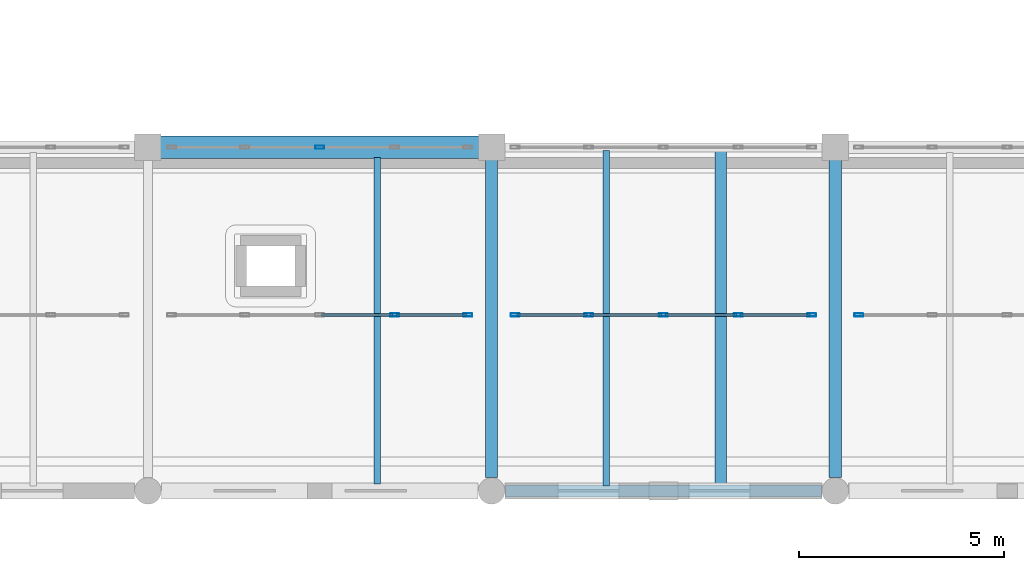
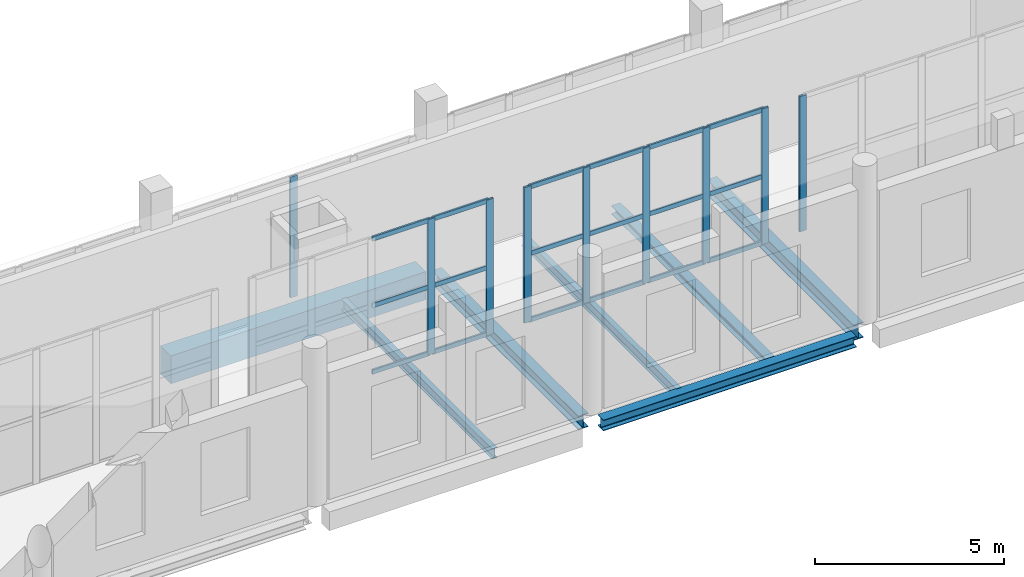
# One storey, part 19 of 73: 27 members, 7 beams, 4 elements without a shape of their own.
"""IFC4 building model written with IfcOpenShell, lengths in metres."""

from ifc_helpers import new_model, si_unit, direction, frame, origin, origin_2d, place, context, subcontext, project, spatial, rectangle, hollow_rectangle, i_section, extrude, material, layer, layer_set, material_profile, profile_set, type_object, element, aggregate, save


model = new_model("IFC4")

# Units and contexts
model_context = context("Model", 3, precision=1e-05, world=origin(), true_north=direction((0.0, 1.0)))
body_context = subcontext(model_context, "Body", "Model", "MODEL_VIEW")
ifc_project = project(units=[si_unit("LENGTHUNIT", "METRE"), si_unit("AREAUNIT", "SQUARE_METRE"), si_unit("VOLUMEUNIT", "CUBIC_METRE"), si_unit("PLANEANGLEUNIT", "RADIAN"), si_unit("MASSUNIT", "GRAM", prefix="KILO")], contexts=[model_context])

# Site, building, storey
site_placement = place(None, origin())
site = spatial("IfcSite", under=ifc_project, at=site_placement, CompositionType="ELEMENT")
building_placement = place(site_placement, origin())
building = spatial("IfcBuilding", under=site, at=building_placement, Name="Zulmaris Art Gallery", CompositionType="ELEMENT")
storey_placement = place(building_placement, frame((0.0, 0.0, 10.5)))
storey = spatial("IfcBuildingStorey", under=building, at=storey_placement, Name="L02", CompositionType="ELEMENT", Elevation=10.5)

# Beams
ifc_material_1 = material(Name="Steel S355J2", Category="steel")
ifc_material_profile_1 = material_profile(ifc_material_1, i_section(OverallWidth=0.300048828125, OverallDepth=0.43994140625, WebThickness=0.011474609375, FlangeThickness=0.02099609375, FilletRadius=0.027099609375, at=origin_2d()), Name="HEA 450")
ifc_profile_set_1 = profile_set([ifc_material_profile_1], Name="Steel S355J2")
beam_type_1 = type_object("IfcBeamType", Name="BEAM-BM10", PredefinedType="BEAM", material=ifc_profile_set_1)
beam_1_placement = place(storey_placement, frame((108.0, 13.534912109375, -0.6201171875), z_axis=(0.0, 1.0, 0.0), x_axis=(-1.0, 0.0, 0.0)))
element("IfcBeam", 1, at=beam_1_placement, inside=storey, type_object=beam_type_1, Name="L02 Y-girder (x=108.0, 13.2..21.6)", PredefinedType="BEAM", context=body_context, shape_type="SweptSolid", body=[
    extrude(i_section(OverallWidth=0.300048828125, OverallDepth=0.43994140625, WebThickness=0.011474609375, FlangeThickness=0.02099609375, FilletRadius=0.027099609375, at=origin_2d()), origin(), (0.0, 0.0, 1.0), 7.755126953125),
])
ifc_material_profile_2 = material_profile(ifc_material_1, i_section(OverallWidth=0.300048828125, OverallDepth=0.5, WebThickness=0.014404296875, FlangeThickness=0.028076171875, FilletRadius=0.027099609375, at=origin_2d()), Name="HEB 500")
ifc_profile_set_2 = profile_set([ifc_material_profile_2], Name="Steel S355J2")
beam_type_2 = type_object("IfcBeamType", Name="BEAM-BM14", PredefinedType="BEAM", material=ifc_profile_set_2)
beam_2_placement = place(storey_placement, frame((116.39990234375, 13.534912109375, -0.64990234375), z_axis=(0.0, 1.0, 0.0), x_axis=(-1.0, 0.0, 0.0)))
element("IfcBeam", 2, at=beam_2_placement, inside=storey, type_object=beam_type_2, Name="L02 Y-girder (x=116.4, 13.2..21.6)", PredefinedType="BEAM", context=body_context, shape_type="SweptSolid", body=[
    extrude(i_section(OverallWidth=0.300048828125, OverallDepth=0.5, WebThickness=0.014404296875, FlangeThickness=0.028076171875, FilletRadius=0.027099609375, at=origin_2d()), origin(), (0.0, 0.0, 1.0), 7.755126953125),
])
ifc_material_2 = material(Name="Concrete C40/50", Category="concrete")
ifc_material_profile_3 = material_profile(ifc_material_2, rectangle(XDim=0.550048828125, YDim=0.89990234375, at=origin_2d()), Name="RC 550x900")
ifc_profile_set_3 = profile_set([ifc_material_profile_3], Name="Concrete C40/50")
beam_type_3 = type_object("IfcBeamType", Name="BEAM-BM21", PredefinedType="BEAM", material=ifc_profile_set_3)
beam_3_placement = place(storey_placement, frame((99.909912109375, 21.60009765625, -0.85009765625), z_axis=(1.0, 0.0, 0.0), x_axis=(0.0, 1.0, 0.0)))
element("IfcBeam", 3, at=beam_3_placement, inside=storey, type_object=beam_type_3, Name="L02 X-girder (99.6..108.0, y=21.6)", PredefinedType="BEAM", context=body_context, shape_type="SweptSolid", body=[
    extrude(rectangle(XDim=0.550048828125, YDim=0.89990234375, at=origin_2d()), origin(), (0.0, 0.0, 1.0), 7.780029296875),
])
ifc_material_profile_4 = material_profile(ifc_material_1, i_section(OverallWidth=0.159912109375, OverallDepth=0.330078125, WebThickness=0.007568359375, FlangeThickness=0.011474609375, FilletRadius=0.01806640625, at=origin_2d()), Name="IPE 330")
ifc_profile_set_4 = profile_set([ifc_material_profile_4], Name="Steel S355J2")
beam_type_4 = type_object("IfcBeamType", Name="BEAM-JS03", PredefinedType="JOIST", material=ifc_profile_set_4)
beam_4_placement = place(storey_placement, frame((105.199951171875, 13.375, -0.56494140625), z_axis=(0.0, 1.0, 0.0), x_axis=(-1.0, 0.0, 0.0)))
element("IfcBeam", 4, at=beam_4_placement, inside=storey, type_object=beam_type_4, Name="L02 secondary joist at x=105.2", PredefinedType="JOIST", context=body_context, shape_type="SweptSolid", body=[
    extrude(i_section(OverallWidth=0.159912109375, OverallDepth=0.330078125, WebThickness=0.007568359375, FlangeThickness=0.011474609375, FilletRadius=0.01806640625, at=origin_2d()), origin(), (0.0, 0.0, 1.0), 7.97509765625),
])
beam_5_placement = place(storey_placement, frame((110.800048828125, 13.324951171875, -0.56494140625), z_axis=(0.0, 1.0, 0.0), x_axis=(-1.0, 0.0, 0.0)))
element("IfcBeam", 5, at=beam_5_placement, inside=storey, type_object=beam_type_4, Name="L02 secondary joist at x=110.8", PredefinedType="JOIST", context=body_context, shape_type="SweptSolid", body=[
    extrude(i_section(OverallWidth=0.159912109375, OverallDepth=0.330078125, WebThickness=0.007568359375, FlangeThickness=0.011474609375, FilletRadius=0.01806640625, at=origin_2d()), origin(), (0.0, 0.0, 1.0), 8.18994140625),
])
ifc_material_profile_5 = material_profile(ifc_material_1, i_section(OverallWidth=0.280029296875, OverallDepth=0.27001953125, WebThickness=0.008056640625, FlangeThickness=0.012939453125, FilletRadius=0.02392578125, at=origin_2d()), Name="HEA 280")
ifc_profile_set_5 = profile_set([ifc_material_profile_5], Name="Steel S355J2")
beam_type_5 = type_object("IfcBeamType", Name="BEAM-JS04", PredefinedType="JOIST", material=ifc_profile_set_5)
beam_6_placement = place(storey_placement, frame((113.60009765625, 13.324951171875, -0.534912109375), z_axis=(0.0, 1.0, 0.0), x_axis=(-1.0, 0.0, 0.0)))
element("IfcBeam", 6, at=beam_6_placement, inside=storey, type_object=beam_type_5, Name="L02 secondary joist at x=113.6", PredefinedType="JOIST", context=body_context, shape_type="SweptSolid", body=[
    extrude(i_section(OverallWidth=0.280029296875, OverallDepth=0.27001953125, WebThickness=0.008056640625, FlangeThickness=0.012939453125, FilletRadius=0.02392578125, at=origin_2d()), origin(), (0.0, 0.0, 1.0), 8.18994140625),
])
ifc_material_profile_6 = material_profile(ifc_material_1, i_section(OverallWidth=0.300048828125, OverallDepth=0.35009765625, WebThickness=0.010009765625, FlangeThickness=0.017578125, FilletRadius=0.027099609375, at=origin_2d()), Name="HEA 360")
ifc_profile_set_6 = profile_set([ifc_material_profile_6], Name="Steel S355J2")
beam_type_6 = type_object("IfcBeamType", Name="BEAM-SP01", PredefinedType="SPANDREL", material=ifc_profile_set_6)
beam_7_placement = place(storey_placement, frame((108.3349609375, 13.199951171875, -0.574951171875), z_axis=(1.0, 0.0, 0.0), x_axis=(0.0, 1.0, 0.0)))
element("IfcBeam", 7, at=beam_7_placement, inside=storey, type_object=beam_type_6, Name="L02 X-girder (108.0..116.4, y=13.2)", PredefinedType="SPANDREL", context=body_context, shape_type="SweptSolid", body=[
    extrude(i_section(OverallWidth=0.300048828125, OverallDepth=0.35009765625, WebThickness=0.010009765625, FlangeThickness=0.017578125, FilletRadius=0.027099609375, at=origin_2d()), origin(), (0.0, 0.0, 1.0), 7.72998046875),
])

# Curtain wall, members
ifc_material_3 = material(Name="Cloister & Court Glazed Curtain Wall", Category="aluminium")
ifc_layer = layer(ifc_material_3, 0.179931640625)
ifc_layer_set = layer_set([ifc_layer], Name="Cloister & Court Glazed Curtain Wall")
curtain_wall_type = type_object("IfcCurtainWallType", Name="CW-CW03", PredefinedType="NOTDEFINED", material=ifc_layer_set)
curtain_wall_1_placement = place(storey_placement, origin())
curtain_wall_1 = element("IfcCurtainWall", 8, at=curtain_wall_1_placement, inside=storey, type_object=curtain_wall_type, Name="L02 curtain wall 63", PredefinedType="NOTDEFINED")
ifc_material_4 = material(Name="Anodised Bronze Aluminium", Category="aluminium")
ifc_material_profile_7 = material_profile(ifc_material_4, hollow_rectangle(XDim=0.074951171875, YDim=0.219970703125, WallThickness=0.0048828125, InnerFilletRadius=0.007568359375, OuterFilletRadius=0.012451171875, at=origin_2d()), Name="ALU 75x220x5")
ifc_profile_set_7 = profile_set([ifc_material_profile_7], Name="Anodised Bronze Aluminium")
member_type_1 = type_object("IfcMemberType", Name="CWMUL-02", PredefinedType="MULLION", material=ifc_profile_set_7)
member_1_placement = place(storey_placement, frame((105.6298828125, 17.5, 0.0), z_axis=(0.0, 0.0, 1.0), x_axis=(0.0, 1.0, 0.0)))
member_1 = element("IfcMember", 9, at=member_1_placement, type_object=member_type_1, Name="CW03 mullion 4", PredefinedType="MULLION", context=body_context, shape_type="SweptSolid", body=[
    extrude(hollow_rectangle(XDim=0.074951171875, YDim=0.219970703125, WallThickness=0.0048828125, InnerFilletRadius=0.007568359375, OuterFilletRadius=0.012451171875, at=origin_2d()), origin(), (0.0, 0.0, 1.0), 4.3701171875),
])
member_2_placement = place(storey_placement, frame((107.422607421875, 17.5, 0.0), z_axis=(0.0, 0.0, 1.0), x_axis=(0.0, 1.0, 0.0)))
member_2 = element("IfcMember", 10, at=member_2_placement, type_object=member_type_1, Name="CW03 mullion 5", PredefinedType="MULLION", context=body_context, shape_type="SweptSolid", body=[
    extrude(hollow_rectangle(XDim=0.074951171875, YDim=0.219970703125, WallThickness=0.0048828125, InnerFilletRadius=0.007568359375, OuterFilletRadius=0.012451171875, at=origin_2d()), origin(), (0.0, 0.0, 1.0), 4.3701171875),
])

curtain_wall_2_placement = place(storey_placement, origin())
curtain_wall_2 = element("IfcCurtainWall", 11, at=curtain_wall_2_placement, inside=storey, type_object=curtain_wall_type, Name="L02 curtain wall 64", PredefinedType="NOTDEFINED")
member_3_placement = place(storey_placement, frame((108.577392578125, 17.5, 0.0), z_axis=(0.0, 0.0, 1.0), x_axis=(0.0, 1.0, 0.0)))
member_3 = element("IfcMember", 12, at=member_3_placement, type_object=member_type_1, Name="CW03 mullion 1", PredefinedType="MULLION", context=body_context, shape_type="SweptSolid", body=[
    extrude(hollow_rectangle(XDim=0.074951171875, YDim=0.219970703125, WallThickness=0.0048828125, InnerFilletRadius=0.007568359375, OuterFilletRadius=0.012451171875, at=origin_2d()), origin(), (0.0, 0.0, 1.0), 4.3701171875),
])
member_4_placement = place(storey_placement, frame((110.3701171875, 17.5, 0.0), z_axis=(0.0, 0.0, 1.0), x_axis=(0.0, 1.0, 0.0)))
member_4 = element("IfcMember", 13, at=member_4_placement, type_object=member_type_1, Name="CW03 mullion 2", PredefinedType="MULLION", context=body_context, shape_type="SweptSolid", body=[
    extrude(hollow_rectangle(XDim=0.074951171875, YDim=0.219970703125, WallThickness=0.0048828125, InnerFilletRadius=0.007568359375, OuterFilletRadius=0.012451171875, at=origin_2d()), origin(), (0.0, 0.0, 1.0), 4.3701171875),
])
member_5_placement = place(storey_placement, frame((112.199951171875, 17.5, 0.0), z_axis=(0.0, 0.0, 1.0), x_axis=(0.0, 1.0, 0.0)))
member_5 = element("IfcMember", 14, at=member_5_placement, type_object=member_type_1, Name="CW03 mullion 3", PredefinedType="MULLION", context=body_context, shape_type="SweptSolid", body=[
    extrude(hollow_rectangle(XDim=0.074951171875, YDim=0.219970703125, WallThickness=0.0048828125, InnerFilletRadius=0.007568359375, OuterFilletRadius=0.012451171875, at=origin_2d()), origin(), (0.0, 0.0, 1.0), 4.3701171875),
])
member_6_placement = place(storey_placement, frame((114.030029296875, 17.5, 0.0), z_axis=(0.0, 0.0, 1.0), x_axis=(0.0, 1.0, 0.0)))
member_6 = element("IfcMember", 15, at=member_6_placement, type_object=member_type_1, Name="CW03 mullion 4", PredefinedType="MULLION", context=body_context, shape_type="SweptSolid", body=[
    extrude(hollow_rectangle(XDim=0.074951171875, YDim=0.219970703125, WallThickness=0.0048828125, InnerFilletRadius=0.007568359375, OuterFilletRadius=0.012451171875, at=origin_2d()), origin(), (0.0, 0.0, 1.0), 4.3701171875),
])
member_7_placement = place(storey_placement, frame((115.822509765625, 17.5, 0.0), z_axis=(0.0, 0.0, 1.0), x_axis=(0.0, 1.0, 0.0)))
member_7 = element("IfcMember", 16, at=member_7_placement, type_object=member_type_1, Name="CW03 mullion 5", PredefinedType="MULLION", context=body_context, shape_type="SweptSolid", body=[
    extrude(hollow_rectangle(XDim=0.074951171875, YDim=0.219970703125, WallThickness=0.0048828125, InnerFilletRadius=0.007568359375, OuterFilletRadius=0.012451171875, at=origin_2d()), origin(), (0.0, 0.0, 1.0), 4.3701171875),
])

# Curtain wall, member
curtain_wall_3_placement = place(storey_placement, origin())
curtain_wall_3 = element("IfcCurtainWall", 17, at=curtain_wall_3_placement, inside=storey, type_object=curtain_wall_type, Name="L02 curtain wall 65", PredefinedType="NOTDEFINED")
member_8_placement = place(storey_placement, frame((116.9775390625, 17.5, 0.0), z_axis=(0.0, 0.0, 1.0), x_axis=(0.0, 1.0, 0.0)))
member_8 = element("IfcMember", 18, at=member_8_placement, type_object=member_type_1, Name="CW03 mullion 1", PredefinedType="MULLION", context=body_context, shape_type="SweptSolid", body=[
    extrude(hollow_rectangle(XDim=0.074951171875, YDim=0.219970703125, WallThickness=0.0048828125, InnerFilletRadius=0.007568359375, OuterFilletRadius=0.012451171875, at=origin_2d()), origin(), (0.0, 0.0, 1.0), 4.3701171875),
])
aggregate(curtain_wall_3, [member_8])

curtain_wall_4_placement = place(storey_placement, origin())
curtain_wall_4 = element("IfcCurtainWall", 19, at=curtain_wall_4_placement, inside=storey, type_object=curtain_wall_type, Name="L02 curtain wall 194", PredefinedType="NOTDEFINED")
member_9_placement = place(storey_placement, frame((103.800048828125, 21.60009765625, 0.0), z_axis=(0.0, 0.0, 1.0), x_axis=(0.0, 1.0, 0.0)))
member_9 = element("IfcMember", 20, at=member_9_placement, type_object=member_type_1, Name="CW03 mullion 3", PredefinedType="MULLION", context=body_context, shape_type="SweptSolid", body=[
    extrude(hollow_rectangle(XDim=0.074951171875, YDim=0.219970703125, WallThickness=0.0048828125, InnerFilletRadius=0.007568359375, OuterFilletRadius=0.012451171875, at=origin_2d()), origin(), (0.0, 0.0, 1.0), 3.89990234375),
])
aggregate(curtain_wall_4, [member_9])

# Member
ifc_material_profile_8 = material_profile(ifc_material_4, hollow_rectangle(XDim=0.06494140625, YDim=0.14990234375, WallThickness=0.00390625, InnerFilletRadius=0.006103515625, OuterFilletRadius=0.010009765625, at=origin_2d()), Name="ALU 65x150x4")
ifc_profile_set_8 = profile_set([ifc_material_profile_8], Name="Anodised Bronze Aluminium")
member_type_2 = type_object("IfcMemberType", Name="CWTRN-01", PredefinedType="USERDEFINED", material=ifc_profile_set_8)
member_10_placement = place(storey_placement, frame((103.83740234375, 17.5, 0.03759765625), z_axis=(1.0, 0.0, 0.0), x_axis=(0.0, 1.0, 0.0)))
member_10 = element("IfcMember", 21, at=member_10_placement, type_object=member_type_2, Name="CW03 transom 3.1", ObjectType="TRANSOM", PredefinedType="USERDEFINED", context=body_context, shape_type="SweptSolid", body=[
    extrude(hollow_rectangle(XDim=0.06494140625, YDim=0.14990234375, WallThickness=0.00390625, InnerFilletRadius=0.006103515625, OuterFilletRadius=0.010009765625, at=origin_2d()), origin(), (0.0, 0.0, 1.0), 1.755126953125),
])

member_11_placement = place(storey_placement, frame((103.83740234375, 17.5, 2.18505859375), z_axis=(1.0, 0.0, 0.0), x_axis=(0.0, 1.0, 0.0)))
member_11 = element("IfcMember", 22, at=member_11_placement, type_object=member_type_2, Name="CW03 transom 3.2", ObjectType="TRANSOM", PredefinedType="USERDEFINED", context=body_context, shape_type="SweptSolid", body=[
    extrude(hollow_rectangle(XDim=0.06494140625, YDim=0.14990234375, WallThickness=0.00390625, InnerFilletRadius=0.006103515625, OuterFilletRadius=0.010009765625, at=origin_2d()), origin(), (0.0, 0.0, 1.0), 1.755126953125),
])

member_12_placement = place(storey_placement, frame((103.83740234375, 17.5, 4.33251953125), z_axis=(1.0, 0.0, 0.0), x_axis=(0.0, 1.0, 0.0)))
member_12 = element("IfcMember", 23, at=member_12_placement, type_object=member_type_2, Name="CW03 transom 3.3", ObjectType="TRANSOM", PredefinedType="USERDEFINED", context=body_context, shape_type="SweptSolid", body=[
    extrude(hollow_rectangle(XDim=0.06494140625, YDim=0.14990234375, WallThickness=0.00390625, InnerFilletRadius=0.006103515625, OuterFilletRadius=0.010009765625, at=origin_2d()), origin(), (0.0, 0.0, 1.0), 1.755126953125),
])

member_13_placement = place(storey_placement, frame((105.66748046875, 17.5, 0.03759765625), z_axis=(1.0, 0.0, 0.0), x_axis=(0.0, 1.0, 0.0)))
member_13 = element("IfcMember", 24, at=member_13_placement, type_object=member_type_2, Name="CW03 transom 4.1", ObjectType="TRANSOM", PredefinedType="USERDEFINED", context=body_context, shape_type="SweptSolid", body=[
    extrude(hollow_rectangle(XDim=0.06494140625, YDim=0.14990234375, WallThickness=0.00390625, InnerFilletRadius=0.006103515625, OuterFilletRadius=0.010009765625, at=origin_2d()), origin(), (0.0, 0.0, 1.0), 1.717529296875),
])

member_14_placement = place(storey_placement, frame((105.66748046875, 17.5, 2.18505859375), z_axis=(1.0, 0.0, 0.0), x_axis=(0.0, 1.0, 0.0)))
member_14 = element("IfcMember", 25, at=member_14_placement, type_object=member_type_2, Name="CW03 transom 4.2", ObjectType="TRANSOM", PredefinedType="USERDEFINED", context=body_context, shape_type="SweptSolid", body=[
    extrude(hollow_rectangle(XDim=0.06494140625, YDim=0.14990234375, WallThickness=0.00390625, InnerFilletRadius=0.006103515625, OuterFilletRadius=0.010009765625, at=origin_2d()), origin(), (0.0, 0.0, 1.0), 1.717529296875),
])

member_15_placement = place(storey_placement, frame((105.66748046875, 17.5, 4.33251953125), z_axis=(1.0, 0.0, 0.0), x_axis=(0.0, 1.0, 0.0)))
member_15 = element("IfcMember", 26, at=member_15_placement, type_object=member_type_2, Name="CW03 transom 4.3", ObjectType="TRANSOM", PredefinedType="USERDEFINED", context=body_context, shape_type="SweptSolid", body=[
    extrude(hollow_rectangle(XDim=0.06494140625, YDim=0.14990234375, WallThickness=0.00390625, InnerFilletRadius=0.006103515625, OuterFilletRadius=0.010009765625, at=origin_2d()), origin(), (0.0, 0.0, 1.0), 1.717529296875),
])

aggregate(curtain_wall_1, [member_1, member_2, member_10, member_11, member_12, member_13, member_14, member_15])

member_16_placement = place(storey_placement, frame((108.614990234375, 17.5, 0.03759765625), z_axis=(1.0, 0.0, 0.0), x_axis=(0.0, 1.0, 0.0)))
member_16 = element("IfcMember", 27, at=member_16_placement, type_object=member_type_2, Name="CW03 transom 1.1", ObjectType="TRANSOM", PredefinedType="USERDEFINED", context=body_context, shape_type="SweptSolid", body=[
    extrude(hollow_rectangle(XDim=0.06494140625, YDim=0.14990234375, WallThickness=0.00390625, InnerFilletRadius=0.006103515625, OuterFilletRadius=0.010009765625, at=origin_2d()), origin(), (0.0, 0.0, 1.0), 1.717529296875),
])

member_17_placement = place(storey_placement, frame((108.614990234375, 17.5, 2.18505859375), z_axis=(1.0, 0.0, 0.0), x_axis=(0.0, 1.0, 0.0)))
member_17 = element("IfcMember", 28, at=member_17_placement, type_object=member_type_2, Name="CW03 transom 1.2", ObjectType="TRANSOM", PredefinedType="USERDEFINED", context=body_context, shape_type="SweptSolid", body=[
    extrude(hollow_rectangle(XDim=0.06494140625, YDim=0.14990234375, WallThickness=0.00390625, InnerFilletRadius=0.006103515625, OuterFilletRadius=0.010009765625, at=origin_2d()), origin(), (0.0, 0.0, 1.0), 1.717529296875),
])

member_18_placement = place(storey_placement, frame((108.614990234375, 17.5, 4.33251953125), z_axis=(1.0, 0.0, 0.0), x_axis=(0.0, 1.0, 0.0)))
member_18 = element("IfcMember", 29, at=member_18_placement, type_object=member_type_2, Name="CW03 transom 1.3", ObjectType="TRANSOM", PredefinedType="USERDEFINED", context=body_context, shape_type="SweptSolid", body=[
    extrude(hollow_rectangle(XDim=0.06494140625, YDim=0.14990234375, WallThickness=0.00390625, InnerFilletRadius=0.006103515625, OuterFilletRadius=0.010009765625, at=origin_2d()), origin(), (0.0, 0.0, 1.0), 1.717529296875),
])

member_19_placement = place(storey_placement, frame((110.407470703125, 17.5, 0.03759765625), z_axis=(1.0, 0.0, 0.0), x_axis=(0.0, 1.0, 0.0)))
member_19 = element("IfcMember", 30, at=member_19_placement, type_object=member_type_2, Name="CW03 transom 2.1", ObjectType="TRANSOM", PredefinedType="USERDEFINED", context=body_context, shape_type="SweptSolid", body=[
    extrude(hollow_rectangle(XDim=0.06494140625, YDim=0.14990234375, WallThickness=0.00390625, InnerFilletRadius=0.006103515625, OuterFilletRadius=0.010009765625, at=origin_2d()), origin(), (0.0, 0.0, 1.0), 1.755126953125),
])

member_20_placement = place(storey_placement, frame((110.407470703125, 17.5, 2.18505859375), z_axis=(1.0, 0.0, 0.0), x_axis=(0.0, 1.0, 0.0)))
member_20 = element("IfcMember", 31, at=member_20_placement, type_object=member_type_2, Name="CW03 transom 2.2", ObjectType="TRANSOM", PredefinedType="USERDEFINED", context=body_context, shape_type="SweptSolid", body=[
    extrude(hollow_rectangle(XDim=0.06494140625, YDim=0.14990234375, WallThickness=0.00390625, InnerFilletRadius=0.006103515625, OuterFilletRadius=0.010009765625, at=origin_2d()), origin(), (0.0, 0.0, 1.0), 1.755126953125),
])

member_21_placement = place(storey_placement, frame((110.407470703125, 17.5, 4.33251953125), z_axis=(1.0, 0.0, 0.0), x_axis=(0.0, 1.0, 0.0)))
member_21 = element("IfcMember", 32, at=member_21_placement, type_object=member_type_2, Name="CW03 transom 2.3", ObjectType="TRANSOM", PredefinedType="USERDEFINED", context=body_context, shape_type="SweptSolid", body=[
    extrude(hollow_rectangle(XDim=0.06494140625, YDim=0.14990234375, WallThickness=0.00390625, InnerFilletRadius=0.006103515625, OuterFilletRadius=0.010009765625, at=origin_2d()), origin(), (0.0, 0.0, 1.0), 1.755126953125),
])

member_22_placement = place(storey_placement, frame((112.237548828125, 17.5, 0.03759765625), z_axis=(1.0, 0.0, 0.0), x_axis=(0.0, 1.0, 0.0)))
member_22 = element("IfcMember", 33, at=member_22_placement, type_object=member_type_2, Name="CW03 transom 3.1", ObjectType="TRANSOM", PredefinedType="USERDEFINED", context=body_context, shape_type="SweptSolid", body=[
    extrude(hollow_rectangle(XDim=0.06494140625, YDim=0.14990234375, WallThickness=0.00390625, InnerFilletRadius=0.006103515625, OuterFilletRadius=0.010009765625, at=origin_2d()), origin(), (0.0, 0.0, 1.0), 1.7548828125),
])

member_23_placement = place(storey_placement, frame((112.237548828125, 17.5, 2.18505859375), z_axis=(1.0, 0.0, 0.0), x_axis=(0.0, 1.0, 0.0)))
member_23 = element("IfcMember", 34, at=member_23_placement, type_object=member_type_2, Name="CW03 transom 3.2", ObjectType="TRANSOM", PredefinedType="USERDEFINED", context=body_context, shape_type="SweptSolid", body=[
    extrude(hollow_rectangle(XDim=0.06494140625, YDim=0.14990234375, WallThickness=0.00390625, InnerFilletRadius=0.006103515625, OuterFilletRadius=0.010009765625, at=origin_2d()), origin(), (0.0, 0.0, 1.0), 1.7548828125),
])

member_24_placement = place(storey_placement, frame((112.237548828125, 17.5, 4.33251953125), z_axis=(1.0, 0.0, 0.0), x_axis=(0.0, 1.0, 0.0)))
member_24 = element("IfcMember", 35, at=member_24_placement, type_object=member_type_2, Name="CW03 transom 3.3", ObjectType="TRANSOM", PredefinedType="USERDEFINED", context=body_context, shape_type="SweptSolid", body=[
    extrude(hollow_rectangle(XDim=0.06494140625, YDim=0.14990234375, WallThickness=0.00390625, InnerFilletRadius=0.006103515625, OuterFilletRadius=0.010009765625, at=origin_2d()), origin(), (0.0, 0.0, 1.0), 1.7548828125),
])

member_25_placement = place(storey_placement, frame((114.0673828125, 17.5, 0.03759765625), z_axis=(1.0, 0.0, 0.0), x_axis=(0.0, 1.0, 0.0)))
member_25 = element("IfcMember", 36, at=member_25_placement, type_object=member_type_2, Name="CW03 transom 4.1", ObjectType="TRANSOM", PredefinedType="USERDEFINED", context=body_context, shape_type="SweptSolid", body=[
    extrude(hollow_rectangle(XDim=0.06494140625, YDim=0.14990234375, WallThickness=0.00390625, InnerFilletRadius=0.006103515625, OuterFilletRadius=0.010009765625, at=origin_2d()), origin(), (0.0, 0.0, 1.0), 1.717529296875),
])

member_26_placement = place(storey_placement, frame((114.0673828125, 17.5, 2.18505859375), z_axis=(1.0, 0.0, 0.0), x_axis=(0.0, 1.0, 0.0)))
member_26 = element("IfcMember", 37, at=member_26_placement, type_object=member_type_2, Name="CW03 transom 4.2", ObjectType="TRANSOM", PredefinedType="USERDEFINED", context=body_context, shape_type="SweptSolid", body=[
    extrude(hollow_rectangle(XDim=0.06494140625, YDim=0.14990234375, WallThickness=0.00390625, InnerFilletRadius=0.006103515625, OuterFilletRadius=0.010009765625, at=origin_2d()), origin(), (0.0, 0.0, 1.0), 1.717529296875),
])

member_27_placement = place(storey_placement, frame((114.0673828125, 17.5, 4.33251953125), z_axis=(1.0, 0.0, 0.0), x_axis=(0.0, 1.0, 0.0)))
member_27 = element("IfcMember", 38, at=member_27_placement, type_object=member_type_2, Name="CW03 transom 4.3", ObjectType="TRANSOM", PredefinedType="USERDEFINED", context=body_context, shape_type="SweptSolid", body=[
    extrude(hollow_rectangle(XDim=0.06494140625, YDim=0.14990234375, WallThickness=0.00390625, InnerFilletRadius=0.006103515625, OuterFilletRadius=0.010009765625, at=origin_2d()), origin(), (0.0, 0.0, 1.0), 1.717529296875),
])

aggregate(curtain_wall_2, [member_3, member_4, member_5, member_6, member_7, member_16, member_17, member_18, member_19, member_20, member_21, member_22, member_23, member_24, member_25, member_26, member_27])

save(model, "model.ifc")
